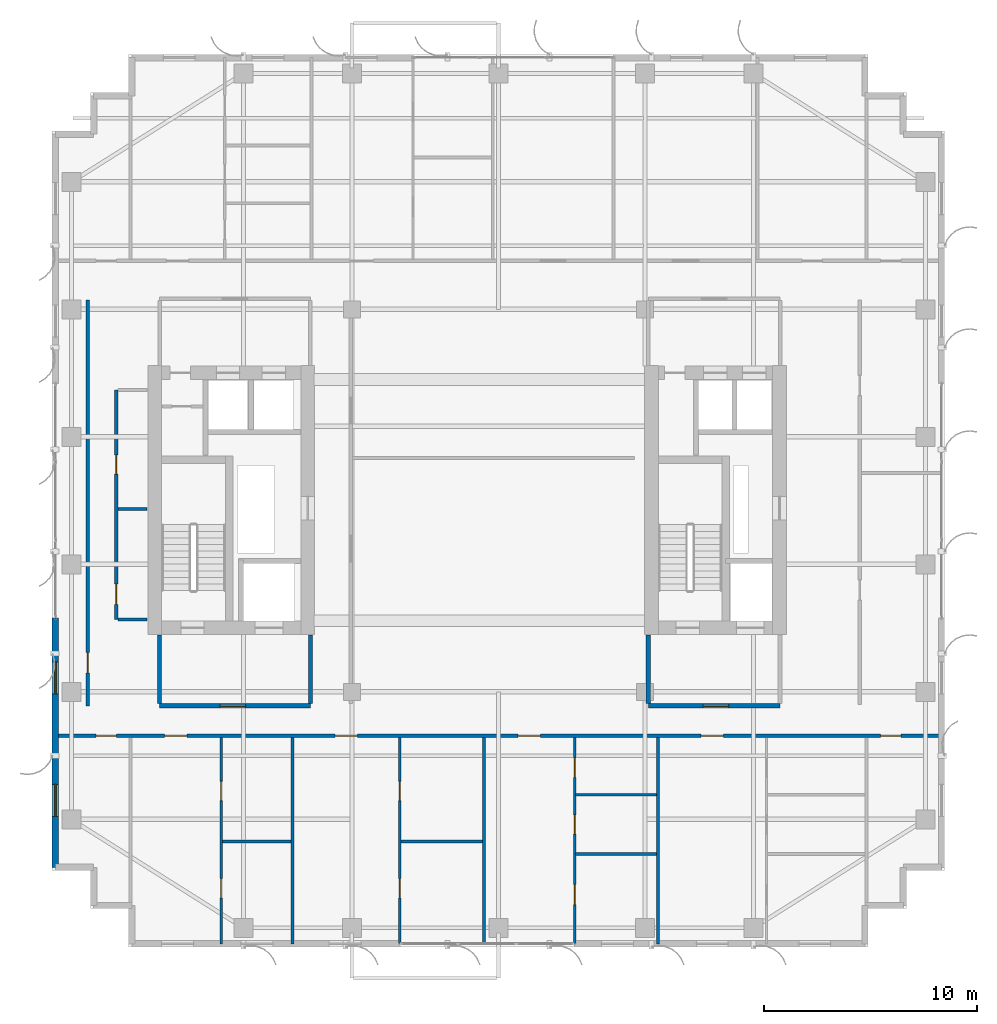
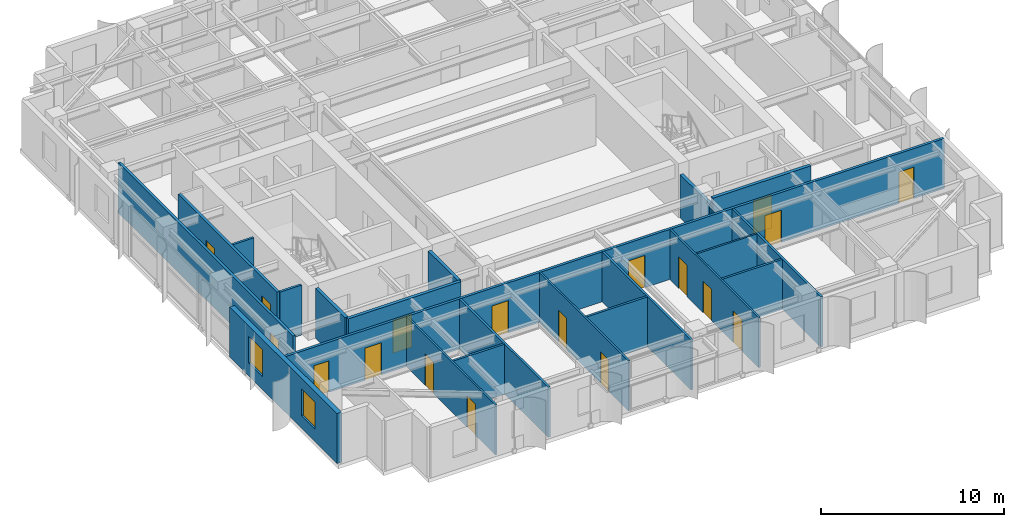
# One storey, part 14 of 21: 21 walls, 18 doors, 2 windows, 20 openings.
"""IFC4 building model written with IfcOpenShell, lengths in metres."""

from ifc_helpers import new_model, si_unit, direction, frame, frame_2d, origin, place, context, subcontext, project, spatial, rectangle, extrude, source, transform, mapped, material, layer, layer_set, type_object, element, fill, save


model = new_model("IFC4")

# Units and contexts
model_context = context("Model", 3, precision=1e-05, world=origin(), true_north=direction((0.0, 1.0)))
body_context = subcontext(model_context, "Body", "Model", "MODEL_VIEW")
ifc_project = project(units=[si_unit("LENGTHUNIT", "METRE"), si_unit("AREAUNIT", "SQUARE_METRE"), si_unit("VOLUMEUNIT", "CUBIC_METRE"), si_unit("PLANEANGLEUNIT", "RADIAN"), si_unit("MASSUNIT", "GRAM", prefix="KILO")], contexts=[model_context])

# Site, building, storey
site_placement = place(None, origin())
site = spatial("IfcSite", under=ifc_project, at=site_placement, CompositionType="ELEMENT")
building_placement = place(site_placement, origin())
building = spatial("IfcBuilding", under=site, at=building_placement, Name="Khoralis Quay Care Tower", CompositionType="ELEMENT")
storey_placement = place(building_placement, frame((0.0, 0.0, 159.300048828125)))
storey = spatial("IfcBuildingStorey", under=building, at=storey_placement, Name="L41", CompositionType="ELEMENT", Elevation=159.300048828125)

# Wall, opening, door
ifc_material_1 = material(Name="Gypsum plasterboard on acoustic metal stud")
ifc_layer_1 = layer(ifc_material_1, 0.199951171875)
ifc_layer_set_1 = layer_set([ifc_layer_1], Name="Gypsum plasterboard on acoustic metal stud")
wall_type_1 = type_object("IfcWallType", Name="WL-COMP-200", PredefinedType="PARTITIONING", material=ifc_layer_set_1)
wall_1_placement = place(storey_placement, frame((8.050048828125, 11.35009765625, 0.0), z_axis=(0.0, 0.0, 1.0), x_axis=(1.0, 0.0, 0.0)))
wall_1 = element("IfcWall", 1, at=wall_1_placement, inside=storey, type_object=wall_type_1, Name="L41 West Firefighting Lobby South Wall", PredefinedType="PARTITIONING", context=body_context, shape_type="SweptSolid", body=[
    extrude(rectangle(XDim=7.099853515625, YDim=0.199951171875, at=frame_2d((3.5498046875, 0.0))), origin(), (0.0, 0.0, 1.0), 3.33984375),
])
opening_1_placement = place(wall_1_placement, frame((2.846435546875, 0.0, 0.0)))
opening_1 = element("IfcOpeningElement", 2, at=opening_1_placement, cuts=wall_1, Name="Opening FD1", PredefinedType="OPENING", context=body_context, shape_type="SweptSolid", body=[
    extrude(rectangle(XDim=1.199951171875, YDim=2.199951171875, at=frame_2d((0.60009765625, 1.10009765625))), frame((0.0, 0.10986328125, 0.0), z_axis=(0.0, -1.0, 0.0), x_axis=(1.0, 0.0, 0.0)), (0.0, 0.0, 1.0), 0.219970703125),
])
ifc_material_2 = material(Name="Fire-rated painted steel", Category="steel")
door_type_1 = type_object("IfcDoorType", Name="DR-FFL-1200X2200", OperationType="NOTDEFINED", PredefinedType="DOOR", material=ifc_material_2)
shared_shape_1 = source(origin(), body_context, "Body", "SweptSolid", [
    extrude(rectangle(XDim=1.199951171875, YDim=2.199951171875, at=frame_2d((0.60009765625, 1.10009765625))), frame((0.0, 0.02490234375, 0.0), z_axis=(0.0, -1.0, 0.0), x_axis=(1.0, 0.0, 0.0)), (0.0, 0.0, 1.0), 0.050048828125),
])
door_1_placement = place(opening_1_placement, origin())
door_1 = element("IfcDoor", 3, at=door_1_placement, inside=storey, type_object=door_type_1, Name="L41 West Firefighting Lobby Fire Door", OperationType="SINGLE_SWING_LEFT", OverallHeight=2.199951171875, OverallWidth=1.199951171875, PredefinedType="DOOR", context=body_context, shape_type="MappedRepresentation", body=[
    mapped(shared_shape_1, transform((0.0, 0.0, 0.0), scale=1.0)),
])
fill(opening_1, door_1)

# Walls
for number, where, z_axis, x_axis, name in (
    (4, (8.050048828125, 11.445068359375, 0.0), (0.0, 0.0, 1.0), (0.0, 1.0, 0.0), "L41 West Firefighting Lobby West Wall"),
    (5, (15.14990234375, 11.445068359375, 0.0), (0.0, 0.0, 1.0), (0.0, 1.0, 0.0), "L41 West Firefighting Lobby East Wall"),
):
    element("IfcWall", number, at=place(storey_placement, frame(where, z_axis=z_axis, x_axis=x_axis)), inside=storey, type_object=wall_type_1, Name=name, PredefinedType="PARTITIONING", context=body_context, shape_type="SweptSolid", body=[
        extrude(rectangle(XDim=3.23486328125, YDim=0.199951171875, at=frame_2d((1.617431640625, 0.0))), origin(), (0.0, 0.0, 1.0), 3.33984375),
    ])

# Wall, opening, door
wall_2_placement = place(storey_placement, frame((31.050048828125, 11.35009765625, 0.0), z_axis=(0.0, 0.0, 1.0), x_axis=(1.0, 0.0, 0.0)))
wall_2 = element("IfcWall", 6, at=wall_2_placement, inside=storey, type_object=wall_type_1, Name="L41 East Firefighting Lobby South Wall", PredefinedType="PARTITIONING", context=body_context, shape_type="SweptSolid", body=[
    extrude(rectangle(XDim=6.199951171875, YDim=0.199951171875, at=frame_2d((3.10009765625, 0.0))), origin(), (0.0, 0.0, 1.0), 3.33984375),
])
opening_2_placement = place(wall_2_placement, frame((2.585693359375, 0.0, 0.0)))
opening_2 = element("IfcOpeningElement", 7, at=opening_2_placement, cuts=wall_2, Name="Opening FD1", PredefinedType="OPENING", context=body_context, shape_type="SweptSolid", body=[
    extrude(rectangle(XDim=1.199951171875, YDim=2.199951171875, at=frame_2d((0.60009765625, 1.10009765625))), frame((0.0, 0.10986328125, 0.0), z_axis=(0.0, -1.0, 0.0), x_axis=(1.0, 0.0, 0.0)), (0.0, 0.0, 1.0), 0.219970703125),
])
door_2_placement = place(opening_2_placement, origin())
door_2 = element("IfcDoor", 8, at=door_2_placement, inside=storey, type_object=door_type_1, Name="L41 East Firefighting Lobby Fire Door", OperationType="SINGLE_SWING_RIGHT", OverallHeight=2.199951171875, OverallWidth=1.199951171875, PredefinedType="DOOR", context=body_context, shape_type="MappedRepresentation", body=[
    mapped(shared_shape_1, transform((0.0, 0.0, 0.0), scale=1.0)),
])
fill(opening_2, door_2)

# Wall
wall_3_placement = place(storey_placement, frame((31.050048828125, 11.445068359375, 0.0), z_axis=(0.0, 0.0, 1.0), x_axis=(0.0, 1.0, 0.0)))
element("IfcWall", 9, at=wall_3_placement, inside=storey, type_object=wall_type_1, Name="L41 East Firefighting Lobby West Wall", PredefinedType="PARTITIONING", context=body_context, shape_type="SweptSolid", body=[
    extrude(rectangle(XDim=3.23486328125, YDim=0.199951171875, at=frame_2d((1.617431640625, 0.0))), origin(), (0.0, 0.0, 1.0), 2.876953125),
])

# Wall, openings, doors
ifc_layer_2 = layer(ifc_material_1, 0.1650390625)
ifc_layer_set_2 = layer_set([ifc_layer_2], Name="Gypsum plasterboard on acoustic metal stud")
wall_type_2 = type_object("IfcWallType", Name="WL-CORR-165", PredefinedType="PARTITIONING", material=ifc_layer_set_2)
wall_4_placement = place(storey_placement, frame((6.02001953125, 15.39990234375, 0.0), z_axis=(0.0, 0.0, 1.0), x_axis=(0.0, 1.0, 0.0)))
wall_4 = element("IfcWall", 10, at=wall_4_placement, inside=storey, type_object=wall_type_2, Name="L41 West Core Service Flank Wall", PredefinedType="PARTITIONING", context=body_context, shape_type="SweptSolid", body=[
    extrude(rectangle(XDim=10.800048828125, YDim=0.1650390625, at=frame_2d((5.39990234375, 0.0))), origin(), (0.0, 0.0, 1.0), 3.33984375),
])
opening_3_placement = place(wall_4_placement, frame((0.72509765625, 0.0, 0.0)))
opening_3 = element("IfcOpeningElement", 11, at=opening_3_placement, cuts=wall_4, Name="Opening ID1", PredefinedType="OPENING", context=body_context, shape_type="SweptSolid", body=[
    extrude(rectangle(XDim=0.949951171875, YDim=2.10009765625, at=frame_2d((0.47509765625, 1.050048828125))), frame((0.0, 0.092529296875, 0.0), z_axis=(0.0, -1.0, 0.0), x_axis=(1.0, 0.0, 0.0)), (0.0, 0.0, 1.0), 0.18505859375),
])
opening_4_placement = place(wall_4_placement, frame((6.85009765625, 0.0, 0.0)))
opening_4 = element("IfcOpeningElement", 12, at=opening_4_placement, cuts=wall_4, Name="Opening WD1", PredefinedType="OPENING", context=body_context, shape_type="SweptSolid", body=[
    extrude(rectangle(XDim=0.89990234375, YDim=2.10009765625, at=frame_2d((0.449951171875, 1.050048828125))), frame((0.0, 0.092529296875, 0.0), z_axis=(0.0, -1.0, 0.0), x_axis=(1.0, 0.0, 0.0)), (0.0, 0.0, 1.0), 0.18505859375),
])
ifc_material_3 = material(Name="Acoustic hardwood timber", Category="wood")
door_type_2 = type_object("IfcDoorType", Name="DR-BATH-900X2100", OperationType="NOTDEFINED", PredefinedType="DOOR", material=ifc_material_3)
shared_shape_2 = source(origin(), body_context, "Body", "SweptSolid", [
    extrude(rectangle(XDim=0.89990234375, YDim=2.10009765625, at=frame_2d((0.449951171875, 1.050048828125))), frame((0.0, 0.02490234375, 0.0), z_axis=(0.0, -1.0, 0.0), x_axis=(1.0, 0.0, 0.0)), (0.0, 0.0, 1.0), 0.050048828125),
])
door_3_placement = place(opening_4_placement, frame((0.89990234375, 0.0, 0.0), z_axis=(0.0, 0.0, 1.0), x_axis=(-1.0, 0.0, 0.0)))
door_3 = element("IfcDoor", 13, at=door_3_placement, inside=storey, type_object=door_type_2, Name="L41 Public Accessible WC Door", OperationType="SINGLE_SWING_LEFT", OverallHeight=2.10009765625, OverallWidth=0.89990234375, PredefinedType="DOOR", context=body_context, shape_type="MappedRepresentation", body=[
    mapped(shared_shape_2, transform((0.0, 0.0, 0.0), scale=1.0)),
])
fill(opening_4, door_3)
door_type_3 = type_object("IfcDoorType", Name="DR-ROOM-950X2100", OperationType="NOTDEFINED", PredefinedType="DOOR", material=ifc_material_3)
shared_shape_3 = source(origin(), body_context, "Body", "SweptSolid", [
    extrude(rectangle(XDim=0.949951171875, YDim=2.10009765625, at=frame_2d((0.47509765625, 1.050048828125))), frame((0.0, 0.02490234375, 0.0), z_axis=(0.0, -1.0, 0.0), x_axis=(1.0, 0.0, 0.0)), (0.0, 0.0, 1.0), 0.050048828125),
])
door_4_placement = place(opening_3_placement, frame((0.949951171875, 0.0, 0.0), z_axis=(0.0, 0.0, 1.0), x_axis=(-1.0, 0.0, 0.0)))
door_4 = element("IfcDoor", 14, at=door_4_placement, inside=storey, type_object=door_type_3, Name="L41 Housekeeping Linen Store Door", OperationType="SINGLE_SWING_RIGHT", OverallHeight=2.10009765625, OverallWidth=0.949951171875, PredefinedType="DOOR", context=body_context, shape_type="MappedRepresentation", body=[
    mapped(shared_shape_3, transform((0.0, 0.0, 0.0), scale=1.0)),
])
fill(opening_3, door_4)

wall_5_placement = place(storey_placement, frame((3.14501953125, 9.93994140625, 0.0), z_axis=(0.0, 0.0, 1.0), x_axis=(1.0, 0.0, 0.0)))
wall_5 = element("IfcWall", 15, at=wall_5_placement, inside=storey, type_object=wall_type_2, Name="L41 South Main Corridor Wall", PredefinedType="PARTITIONING", context=body_context, shape_type="SweptSolid", body=[
    extrude(rectangle(XDim=41.7099609375, YDim=0.1650390625, at=frame_2d((20.85498046875, 0.0))), origin(), (0.0, 0.0, 1.0), 3.33984375),
])
opening_5_placement = place(wall_5_placement, frame((5.146484375, 0.0, 0.0)))
opening_5 = element("IfcOpeningElement", 16, at=opening_5_placement, cuts=wall_5, Name="Opening UD1", PredefinedType="OPENING", context=body_context, shape_type="SweptSolid", body=[
    extrude(rectangle(XDim=1.050048828125, YDim=2.14990234375, at=frame_2d((0.52490234375, 1.074951171875))), frame((0.0, 0.092529296875, 0.0), z_axis=(0.0, -1.0, 0.0), x_axis=(1.0, 0.0, 0.0)), (0.0, 0.0, 1.0), 0.18505859375),
])
opening_6_placement = place(wall_5_placement, frame((13.1630859375, 0.0, 0.0)))
opening_6 = element("IfcOpeningElement", 17, at=opening_6_placement, cuts=wall_5, Name="Opening UD1", PredefinedType="OPENING", context=body_context, shape_type="SweptSolid", body=[
    extrude(rectangle(XDim=1.050048828125, YDim=2.14990234375, at=frame_2d((0.52490234375, 1.074951171875))), frame((0.0, 0.092529296875, 0.0), z_axis=(0.0, -1.0, 0.0), x_axis=(1.0, 0.0, 0.0)), (0.0, 0.0, 1.0), 0.18505859375),
])
opening_7_placement = place(wall_5_placement, frame((21.779541015625, 0.0, 0.0)))
opening_7 = element("IfcOpeningElement", 18, at=opening_7_placement, cuts=wall_5, Name="Opening UD1", PredefinedType="OPENING", context=body_context, shape_type="SweptSolid", body=[
    extrude(rectangle(XDim=1.050048828125, YDim=2.14990234375, at=frame_2d((0.52490234375, 1.074951171875))), frame((0.0, 0.092529296875, 0.0), z_axis=(0.0, -1.0, 0.0), x_axis=(1.0, 0.0, 0.0)), (0.0, 0.0, 1.0), 0.18505859375),
])
opening_8_placement = place(wall_5_placement, frame((30.390380859375, 0.0, 0.0)))
opening_8 = element("IfcOpeningElement", 19, at=opening_8_placement, cuts=wall_5, Name="Opening UD1", PredefinedType="OPENING", context=body_context, shape_type="SweptSolid", body=[
    extrude(rectangle(XDim=1.050048828125, YDim=2.14990234375, at=frame_2d((0.52490234375, 1.074951171875))), frame((0.0, 0.092529296875, 0.0), z_axis=(0.0, -1.0, 0.0), x_axis=(1.0, 0.0, 0.0)), (0.0, 0.0, 1.0), 0.18505859375),
])
opening_9_placement = place(wall_5_placement, frame((1.919921875, 0.0, 0.0)))
opening_9 = element("IfcOpeningElement", 20, at=opening_9_placement, cuts=wall_5, Name="Opening ID1", PredefinedType="OPENING", context=body_context, shape_type="SweptSolid", body=[
    extrude(rectangle(XDim=0.949951171875, YDim=2.10009765625, at=frame_2d((0.47509765625, 1.050048828125))), frame((0.0, 0.092529296875, 0.0), z_axis=(0.0, -1.0, 0.0), x_axis=(1.0, 0.0, 0.0)), (0.0, 0.0, 1.0), 0.18505859375),
])
opening_10_placement = place(wall_5_placement, frame((38.840087890625, 0.0, 0.0)))
opening_10 = element("IfcOpeningElement", 21, at=opening_10_placement, cuts=wall_5, Name="Opening ID1", PredefinedType="OPENING", context=body_context, shape_type="SweptSolid", body=[
    extrude(rectangle(XDim=0.949951171875, YDim=2.10009765625, at=frame_2d((0.47509765625, 1.050048828125))), frame((0.0, 0.092529296875, 0.0), z_axis=(0.0, -1.0, 0.0), x_axis=(1.0, 0.0, 0.0)), (0.0, 0.0, 1.0), 0.18505859375),
])
door_5_placement = place(opening_9_placement, frame((0.949951171875, 0.0, 0.0), z_axis=(0.0, 0.0, 1.0), x_axis=(-1.0, 0.0, 0.0)))
door_5 = element("IfcDoor", 22, at=door_5_placement, inside=storey, type_object=door_type_3, Name="L41 SW Corner Door", OperationType="SINGLE_SWING_LEFT", OverallHeight=2.10009765625, OverallWidth=0.949951171875, PredefinedType="DOOR", context=body_context, shape_type="MappedRepresentation", body=[
    mapped(shared_shape_3, transform((0.0, 0.0, 0.0), scale=1.0)),
])
fill(opening_9, door_5)
door_6_placement = place(opening_10_placement, frame((0.949951171875, 0.0, 0.0), z_axis=(0.0, 0.0, 1.0), x_axis=(-1.0, 0.0, 0.0)))
door_6 = element("IfcDoor", 23, at=door_6_placement, inside=storey, type_object=door_type_3, Name="L41 SE Corner Door", OperationType="SINGLE_SWING_RIGHT", OverallHeight=2.10009765625, OverallWidth=0.949951171875, PredefinedType="DOOR", context=body_context, shape_type="MappedRepresentation", body=[
    mapped(shared_shape_3, transform((0.0, 0.0, 0.0), scale=1.0)),
])
fill(opening_10, door_6)
door_type_4 = type_object("IfcDoorType", Name="DR-SUITE-1050X2150", OperationType="NOTDEFINED", PredefinedType="DOOR", material=ifc_material_3)
shared_shape_4 = source(origin(), body_context, "Body", "SweptSolid", [
    extrude(rectangle(XDim=1.050048828125, YDim=2.14990234375, at=frame_2d((0.52490234375, 1.074951171875))), frame((0.0, 0.02490234375, 0.0), z_axis=(0.0, -1.0, 0.0), x_axis=(1.0, 0.0, 0.0)), (0.0, 0.0, 1.0), 0.050048828125),
])
door_7_placement = place(opening_5_placement, frame((1.050048828125, 0.0, 0.0), z_axis=(0.0, 0.0, 1.0), x_axis=(-1.0, 0.0, 0.0)))
door_7 = element("IfcDoor", 24, at=door_7_placement, inside=storey, type_object=door_type_4, Name="L41 Studio SB0 Entrance", OperationType="SINGLE_SWING_LEFT", OverallHeight=2.14990234375, OverallWidth=1.050048828125, PredefinedType="DOOR", context=body_context, shape_type="MappedRepresentation", body=[
    mapped(shared_shape_4, transform((0.0, 0.0, 0.0), scale=1.0)),
])
fill(opening_5, door_7)
door_8_placement = place(opening_6_placement, frame((1.050048828125, 0.0, 0.0), z_axis=(0.0, 0.0, 1.0), x_axis=(-1.0, 0.0, 0.0)))
door_8 = element("IfcDoor", 25, at=door_8_placement, inside=storey, type_object=door_type_4, Name="L41 Studio SB1 Entrance", OperationType="SINGLE_SWING_RIGHT", OverallHeight=2.14990234375, OverallWidth=1.050048828125, PredefinedType="DOOR", context=body_context, shape_type="MappedRepresentation", body=[
    mapped(shared_shape_4, transform((0.0, 0.0, 0.0), scale=1.0)),
])
fill(opening_6, door_8)
door_9_placement = place(opening_7_placement, frame((1.050048828125, 0.0, 0.0), z_axis=(0.0, 0.0, 1.0), x_axis=(-1.0, 0.0, 0.0)))
door_9 = element("IfcDoor", 26, at=door_9_placement, inside=storey, type_object=door_type_4, Name="L41 Apartment SB2 Entrance Door", OperationType="SINGLE_SWING_LEFT", OverallHeight=2.14990234375, OverallWidth=1.050048828125, PredefinedType="DOOR", context=body_context, shape_type="MappedRepresentation", body=[
    mapped(shared_shape_4, transform((0.0, 0.0, 0.0), scale=1.0)),
])
fill(opening_7, door_9)
door_10_placement = place(opening_8_placement, frame((1.050048828125, 0.0, 0.0), z_axis=(0.0, 0.0, 1.0), x_axis=(-1.0, 0.0, 0.0)))
door_10 = element("IfcDoor", 27, at=door_10_placement, inside=storey, type_object=door_type_4, Name="L41 Apartment SB3 Entrance Door", OperationType="SINGLE_SWING_RIGHT", OverallHeight=2.14990234375, OverallWidth=1.050048828125, PredefinedType="DOOR", context=body_context, shape_type="MappedRepresentation", body=[
    mapped(shared_shape_4, transform((0.0, 0.0, 0.0), scale=1.0)),
])
fill(opening_8, door_10)

# Wall, opening, door
wall_6_placement = place(storey_placement, frame((4.679931640625, 11.35009765625, 0.0), z_axis=(0.0, 0.0, 1.0), x_axis=(0.0, 1.0, 0.0)))
wall_6 = element("IfcWall", 28, at=wall_6_placement, inside=storey, type_object=wall_type_2, Name="L41 West Sunroom Wall", PredefinedType="PARTITIONING", context=body_context, shape_type="SweptSolid", body=[
    extrude(rectangle(XDim=19.099853515625, YDim=0.1650390625, at=frame_2d((9.5498046875, 0.0))), origin(), (0.0, 0.0, 1.0), 3.33984375),
])
opening_11_placement = place(wall_6_placement, frame((1.550048828125, 0.0, 0.0)))
opening_11 = element("IfcOpeningElement", 29, at=opening_11_placement, cuts=wall_6, Name="Opening ID1", PredefinedType="OPENING", context=body_context, shape_type="SweptSolid", body=[
    extrude(rectangle(XDim=0.949951171875, YDim=2.10009765625, at=frame_2d((0.47509765625, 1.050048828125))), frame((0.0, 0.092529296875, 0.0), z_axis=(0.0, -1.0, 0.0), x_axis=(1.0, 0.0, 0.0)), (0.0, 0.0, 1.0), 0.18505859375),
])
door_11_placement = place(opening_11_placement, frame((0.949951171875, 0.0, 0.0), z_axis=(0.0, 0.0, 1.0), x_axis=(-1.0, 0.0, 0.0)))
door_11 = element("IfcDoor", 30, at=door_11_placement, inside=storey, type_object=door_type_3, Name="L41 West Sunroom Door", OperationType="SINGLE_SWING_LEFT", OverallHeight=2.10009765625, OverallWidth=0.949951171875, PredefinedType="DOOR", context=body_context, shape_type="MappedRepresentation", body=[
    mapped(shared_shape_3, transform((0.0, 0.0, 0.0), scale=1.0)),
])
fill(opening_11, door_11)

# Wall, openings, windows
ifc_material_4 = material(Name="Precast concrete C45/55", Category="concrete")
ifc_layer_3 = layer(ifc_material_4, 0.300048828125)
ifc_layer_set_3 = layer_set([ifc_layer_3], Name="Precast concrete C45/55")
wall_type_3 = type_object("IfcWallType", Name="WL-EXT-REF-300", PredefinedType="SOLIDWALL", material=ifc_layer_set_3)
wall_7_placement = place(storey_placement, frame((3.14990234375, 15.47998046875, 0.0), z_axis=(0.0, 0.0, 1.0), x_axis=(0.0, -1.0, 0.0)))
wall_7 = element("IfcWall", 31, at=wall_7_placement, inside=storey, type_object=wall_type_3, Name="L41 External Facade Wall WL-EXT-L41-P1-E15B", PredefinedType="SOLIDWALL", context=body_context, shape_type="SweptSolid", body=[
    extrude(rectangle(XDim=11.72998046875, YDim=0.300048828125, at=frame_2d((5.864990234375, 0.0))), origin(), (0.0, 0.0, 1.0), 3.33984375),
])
opening_12_placement = place(wall_7_placement, frame((2.070068359375, 0.0, 0.85009765625)))
opening_12 = element("IfcOpeningElement", 32, at=opening_12_placement, cuts=wall_7, Name="Opening W3", PredefinedType="OPENING", context=body_context, shape_type="SweptSolid", body=[
    extrude(rectangle(XDim=1.5, YDim=1.800048828125, at=frame_2d((0.75, 0.89990234375))), frame((0.0, 0.16015625, 0.0), z_axis=(0.0, -1.0, 0.0), x_axis=(1.0, 0.0, 0.0)), (0.0, 0.0, 1.0), 0.320068359375),
])
opening_13_placement = place(wall_7_placement, frame((7.8349609375, 0.0, 0.85009765625)))
opening_13 = element("IfcOpeningElement", 33, at=opening_13_placement, cuts=wall_7, Name="Opening W3", PredefinedType="OPENING", context=body_context, shape_type="SweptSolid", body=[
    extrude(rectangle(XDim=1.5, YDim=1.800048828125, at=frame_2d((0.75, 0.89990234375))), frame((0.0, 0.16015625, 0.0), z_axis=(0.0, -1.0, 0.0), x_axis=(1.0, 0.0, 0.0)), (0.0, 0.0, 1.0), 0.320068359375),
])
ifc_material_5 = material(Name="Low-E solar-control double glazing", Category="glass")
window_type = type_object("IfcWindowType", Name="WN-CLIN-1500X1800", PartitioningType="SINGLE_PANEL", PredefinedType="WINDOW", material=ifc_material_5)
shared_shape_5 = source(origin(), body_context, "Body", "SweptSolid", [
    extrude(rectangle(XDim=1.5, YDim=1.800048828125, at=frame_2d((0.75, 0.89990234375))), frame((0.0, 0.030029296875, 0.0), z_axis=(0.0, -1.0, 0.0), x_axis=(1.0, 0.0, 0.0)), (0.0, 0.0, 1.0), 0.06005859375),
])
window_1_placement = place(opening_12_placement, origin())
window_1 = element("IfcWindow", 34, at=window_1_placement, inside=storey, type_object=window_type, Name="WN-L41-P1-E15B Facade Window 01", OverallHeight=1.800048828125, OverallWidth=1.5, PartitioningType="SINGLE_PANEL", PredefinedType="WINDOW", context=body_context, shape_type="MappedRepresentation", body=[
    mapped(shared_shape_5, transform((0.0, 0.0, 0.0), scale=1.0)),
])
fill(opening_12, window_1)
window_2_placement = place(opening_13_placement, origin())
window_2 = element("IfcWindow", 35, at=window_2_placement, inside=storey, type_object=window_type, Name="WN-L41-P1-E15B Facade Window 02", OverallHeight=1.800048828125, OverallWidth=1.5, PartitioningType="SINGLE_PANEL", PredefinedType="WINDOW", context=body_context, shape_type="MappedRepresentation", body=[
    mapped(shared_shape_5, transform((0.0, 0.0, 0.0), scale=1.0)),
])
fill(opening_13, window_2)

# Wall, openings, doors
ifc_layer_4 = layer(ifc_material_1, 0.114990234375)
ifc_layer_set_4 = layer_set([ifc_layer_4], Name="Gypsum plasterboard on acoustic metal stud")
wall_type_4 = type_object("IfcWallType", Name="WL-PART-115", PredefinedType="PARTITIONING", material=ifc_layer_set_4)
wall_8_placement = place(storey_placement, frame((10.952880859375, 0.14501953125, 0.0), z_axis=(0.0, 0.0, 1.0), x_axis=(0.0, 1.0, 0.0)))
wall_8 = element("IfcWall", 36, at=wall_8_placement, inside=storey, type_object=wall_type_4, Name="L41 Studio 0 Internal Wall", PredefinedType="PARTITIONING", context=body_context, shape_type="SweptSolid", body=[
    extrude(rectangle(XDim=9.717529296875, YDim=0.114990234375, at=frame_2d((4.85888671875, 0.0))), origin(), (0.0, 0.0, 1.0), 3.33984375),
])
opening_14_placement = place(wall_8_placement, frame((2.1650390625, 0.0, 0.0)))
opening_14 = element("IfcOpeningElement", 37, at=opening_14_placement, cuts=wall_8, Name="Opening WD1", PredefinedType="OPENING", context=body_context, shape_type="SweptSolid", body=[
    extrude(rectangle(XDim=0.89990234375, YDim=2.10009765625, at=frame_2d((0.449951171875, 1.050048828125))), frame((0.0, 0.0673828125, 0.0), z_axis=(0.0, -1.0, 0.0), x_axis=(1.0, 0.0, 0.0)), (0.0, 0.0, 1.0), 0.135009765625),
])
opening_15_placement = place(wall_8_placement, frame((6.7451171875, 0.0, 0.0)))
opening_15 = element("IfcOpeningElement", 38, at=opening_15_placement, cuts=wall_8, Name="Opening WD1", PredefinedType="OPENING", context=body_context, shape_type="SweptSolid", body=[
    extrude(rectangle(XDim=0.89990234375, YDim=2.10009765625, at=frame_2d((0.449951171875, 1.050048828125))), frame((0.0, 0.0673828125, 0.0), z_axis=(0.0, -1.0, 0.0), x_axis=(1.0, 0.0, 0.0)), (0.0, 0.0, 1.0), 0.135009765625),
])
door_12_placement = place(opening_14_placement, frame((0.89990234375, 0.0, 0.0), z_axis=(0.0, 0.0, 1.0), x_axis=(-1.0, 0.0, 0.0)))
door_12 = element("IfcDoor", 39, at=door_12_placement, inside=storey, type_object=door_type_2, Name="L41 Studio SKT Door", OperationType="SINGLE_SWING_RIGHT", OverallHeight=2.10009765625, OverallWidth=0.89990234375, PredefinedType="DOOR", context=body_context, shape_type="MappedRepresentation", body=[
    mapped(shared_shape_2, transform((0.0, 0.0, 0.0), scale=1.0)),
])
fill(opening_14, door_12)
door_13_placement = place(opening_15_placement, frame((0.89990234375, 0.0, 0.0), z_axis=(0.0, 0.0, 1.0), x_axis=(-1.0, 0.0, 0.0)))
door_13 = element("IfcDoor", 40, at=door_13_placement, inside=storey, type_object=door_type_2, Name="L41 Studio SBH Door", OperationType="SINGLE_SWING_LEFT", OverallHeight=2.10009765625, OverallWidth=0.89990234375, PredefinedType="DOOR", context=body_context, shape_type="MappedRepresentation", body=[
    mapped(shared_shape_2, transform((0.0, 0.0, 0.0), scale=1.0)),
])
fill(opening_15, door_13)

wall_9_placement = place(storey_placement, frame((19.35595703125, 0.14501953125, 0.0), z_axis=(0.0, 0.0, 1.0), x_axis=(0.0, 1.0, 0.0)))
wall_9 = element("IfcWall", 41, at=wall_9_placement, inside=storey, type_object=wall_type_4, Name="L41 Studio 1 Internal Wall", PredefinedType="PARTITIONING", context=body_context, shape_type="SweptSolid", body=[
    extrude(rectangle(XDim=9.717529296875, YDim=0.114990234375, at=frame_2d((4.85888671875, 0.0))), origin(), (0.0, 0.0, 1.0), 3.33984375),
])
opening_16_placement = place(wall_9_placement, frame((2.1650390625, 0.0, 0.0)))
opening_16 = element("IfcOpeningElement", 42, at=opening_16_placement, cuts=wall_9, Name="Opening WD1", PredefinedType="OPENING", context=body_context, shape_type="SweptSolid", body=[
    extrude(rectangle(XDim=0.89990234375, YDim=2.10009765625, at=frame_2d((0.449951171875, 1.050048828125))), frame((0.0, 0.0673828125, 0.0), z_axis=(0.0, -1.0, 0.0), x_axis=(1.0, 0.0, 0.0)), (0.0, 0.0, 1.0), 0.135009765625),
])
opening_17_placement = place(wall_9_placement, frame((6.7451171875, 0.0, 0.0)))
opening_17 = element("IfcOpeningElement", 43, at=opening_17_placement, cuts=wall_9, Name="Opening WD1", PredefinedType="OPENING", context=body_context, shape_type="SweptSolid", body=[
    extrude(rectangle(XDim=0.89990234375, YDim=2.10009765625, at=frame_2d((0.449951171875, 1.050048828125))), frame((0.0, 0.0673828125, 0.0), z_axis=(0.0, -1.0, 0.0), x_axis=(1.0, 0.0, 0.0)), (0.0, 0.0, 1.0), 0.135009765625),
])
door_14_placement = place(opening_16_placement, frame((0.89990234375, 0.0, 0.0), z_axis=(0.0, 0.0, 1.0), x_axis=(-1.0, 0.0, 0.0)))
door_14 = element("IfcDoor", 44, at=door_14_placement, inside=storey, type_object=door_type_2, Name="L41 Studio SKT Door", OperationType="SINGLE_SWING_LEFT", OverallHeight=2.10009765625, OverallWidth=0.89990234375, PredefinedType="DOOR", context=body_context, shape_type="MappedRepresentation", body=[
    mapped(shared_shape_2, transform((0.0, 0.0, 0.0), scale=1.0)),
])
fill(opening_16, door_14)
door_15_placement = place(opening_17_placement, frame((0.89990234375, 0.0, 0.0), z_axis=(0.0, 0.0, 1.0), x_axis=(-1.0, 0.0, 0.0)))
door_15 = element("IfcDoor", 45, at=door_15_placement, inside=storey, type_object=door_type_2, Name="L41 Studio SBH Door", OperationType="SINGLE_SWING_RIGHT", OverallHeight=2.10009765625, OverallWidth=0.89990234375, PredefinedType="DOOR", context=body_context, shape_type="MappedRepresentation", body=[
    mapped(shared_shape_2, transform((0.0, 0.0, 0.0), scale=1.0)),
])
fill(opening_17, door_15)

wall_10_placement = place(storey_placement, frame((27.5791015625, 0.14501953125, 0.0), z_axis=(0.0, 0.0, 1.0), x_axis=(0.0, 1.0, 0.0)))
wall_10 = element("IfcWall", 46, at=wall_10_placement, inside=storey, type_object=wall_type_4, Name="L41 Unit 2 Internal Wall", PredefinedType="PARTITIONING", context=body_context, shape_type="SweptSolid", body=[
    extrude(rectangle(XDim=9.717529296875, YDim=0.114990234375, at=frame_2d((4.85888671875, 0.0))), origin(), (0.0, 0.0, 1.0), 3.33984375),
])
opening_18_placement = place(wall_10_placement, frame((1.842041015625, 0.0, 0.0)))
opening_18 = element("IfcOpeningElement", 47, at=opening_18_placement, cuts=wall_10, Name="Opening ID1", PredefinedType="OPENING", context=body_context, shape_type="SweptSolid", body=[
    extrude(rectangle(XDim=0.949951171875, YDim=2.10009765625, at=frame_2d((0.47509765625, 1.050048828125))), frame((0.0, 0.0673828125, 0.0), z_axis=(0.0, -1.0, 0.0), x_axis=(1.0, 0.0, 0.0)), (0.0, 0.0, 1.0), 0.135009765625),
])
opening_19_placement = place(wall_10_placement, frame((5.17041015625, 0.0, 0.0)))
opening_19 = element("IfcOpeningElement", 48, at=opening_19_placement, cuts=wall_10, Name="Opening WD1", PredefinedType="OPENING", context=body_context, shape_type="SweptSolid", body=[
    extrude(rectangle(XDim=0.89990234375, YDim=2.10009765625, at=frame_2d((0.449951171875, 1.050048828125))), frame((0.0, 0.0673828125, 0.0), z_axis=(0.0, -1.0, 0.0), x_axis=(1.0, 0.0, 0.0)), (0.0, 0.0, 1.0), 0.135009765625),
])
opening_20_placement = place(wall_10_placement, frame((7.83837890625, 0.0, 0.0)))
opening_20 = element("IfcOpeningElement", 49, at=opening_20_placement, cuts=wall_10, Name="Opening WD1", PredefinedType="OPENING", context=body_context, shape_type="SweptSolid", body=[
    extrude(rectangle(XDim=0.89990234375, YDim=2.10009765625, at=frame_2d((0.449951171875, 1.050048828125))), frame((0.0, 0.0673828125, 0.0), z_axis=(0.0, -1.0, 0.0), x_axis=(1.0, 0.0, 0.0)), (0.0, 0.0, 1.0), 0.135009765625),
])
door_16_placement = place(opening_19_placement, frame((0.89990234375, 0.0, 0.0), z_axis=(0.0, 0.0, 1.0), x_axis=(-1.0, 0.0, 0.0)))
door_16 = element("IfcDoor", 50, at=door_16_placement, inside=storey, type_object=door_type_2, Name="L41 Apartment SB2 KIT Door", OperationType="SINGLE_SWING_LEFT", OverallHeight=2.10009765625, OverallWidth=0.89990234375, PredefinedType="DOOR", context=body_context, shape_type="MappedRepresentation", body=[
    mapped(shared_shape_2, transform((0.0, 0.0, 0.0), scale=1.0)),
])
fill(opening_19, door_16)
door_17_placement = place(opening_20_placement, frame((0.89990234375, 0.0, 0.0), z_axis=(0.0, 0.0, 1.0), x_axis=(-1.0, 0.0, 0.0)))
door_17 = element("IfcDoor", 51, at=door_17_placement, inside=storey, type_object=door_type_2, Name="L41 Apartment SB2 BTH Door", OperationType="SINGLE_SWING_RIGHT", OverallHeight=2.10009765625, OverallWidth=0.89990234375, PredefinedType="DOOR", context=body_context, shape_type="MappedRepresentation", body=[
    mapped(shared_shape_2, transform((0.0, 0.0, 0.0), scale=1.0)),
])
fill(opening_20, door_17)
door_18_placement = place(opening_18_placement, frame((0.949951171875, 0.0, 0.0), z_axis=(0.0, 0.0, 1.0), x_axis=(-1.0, 0.0, 0.0)))
door_18 = element("IfcDoor", 52, at=door_18_placement, inside=storey, type_object=door_type_3, Name="L41 Apartment SB2 BED Door", OperationType="SINGLE_SWING_RIGHT", OverallHeight=2.10009765625, OverallWidth=0.949951171875, PredefinedType="DOOR", context=body_context, shape_type="MappedRepresentation", body=[
    mapped(shared_shape_3, transform((0.0, 0.0, 0.0), scale=1.0)),
])
fill(opening_18, door_18)

# Walls
wall_11_placement = place(storey_placement, frame((27.631591796875, 7.156982421875, 0.0), z_axis=(0.0, 0.0, 1.0), x_axis=(1.0, 0.0, 0.0)))
element("IfcWall", 53, at=wall_11_placement, inside=storey, type_object=wall_type_4, Name="L41 Unit 2 Kitchen Wall", PredefinedType="PARTITIONING", context=body_context, shape_type="SweptSolid", body=[
    extrude(rectangle(XDim=3.8134765625, YDim=0.114990234375, at=frame_2d((1.90673828125, 0.0))), origin(), (0.0, 0.0, 1.0), 3.33984375),
])
ifc_material_6 = material(Name="Moisture-resistant gypsum and ceramic tile")
ifc_layer_5 = layer(ifc_material_6, 0.280029296875)
ifc_layer_set_5 = layer_set([ifc_layer_5], Name="Moisture-resistant gypsum and ceramic tile")
wall_type_5 = type_object("IfcWallType", Name="WL-PLUMB-280", PredefinedType="PLUMBINGWALL", material=ifc_layer_set_5)
wall_12_placement = place(storey_placement, frame((6.097412109375, 20.60009765625, 0.0), z_axis=(0.0, 0.0, 1.0), x_axis=(1.0, 0.0, 0.0)))
element("IfcWall", 54, at=wall_12_placement, inside=storey, type_object=wall_type_5, Name="L41 West Flank Divider 1", PredefinedType="PLUMBINGWALL", context=body_context, shape_type="SweptSolid", body=[
    extrude(rectangle(XDim=1.362548828125, YDim=0.139892578125, at=frame_2d((0.68115234375, 0.0))), origin(), (0.0, 0.0, 1.0), 3.33984375),
])
wall_13_placement = place(storey_placement, frame((11.005615234375, 4.969970703125, 0.0), z_axis=(0.0, 0.0, 1.0), x_axis=(1.0, 0.0, 0.0)))
element("IfcWall", 55, at=wall_13_placement, inside=storey, type_object=wall_type_5, Name="L41 Studio 0 Wet Split", PredefinedType="PLUMBINGWALL", context=body_context, shape_type="SweptSolid", body=[
    extrude(rectangle(XDim=3.239501953125, YDim=0.139892578125, at=frame_2d((1.61962890625, 0.0))), origin(), (0.0, 0.0, 1.0), 3.33984375),
])
wall_14_placement = place(storey_placement, frame((19.408447265625, 4.969970703125, 0.0), z_axis=(0.0, 0.0, 1.0), x_axis=(1.0, 0.0, 0.0)))
element("IfcWall", 56, at=wall_14_placement, inside=storey, type_object=wall_type_5, Name="L41 Studio 1 Wet Split", PredefinedType="PLUMBINGWALL", context=body_context, shape_type="SweptSolid", body=[
    extrude(rectangle(XDim=3.846435546875, YDim=0.139892578125, at=frame_2d((1.92333984375, 0.0))), origin(), (0.0, 0.0, 1.0), 3.33984375),
])
wall_15_placement = place(storey_placement, frame((27.631591796875, 4.3740234375, 0.0), z_axis=(0.0, 0.0, 1.0), x_axis=(1.0, 0.0, 0.0)))
element("IfcWall", 57, at=wall_15_placement, inside=storey, type_object=wall_type_5, Name="L41 Unit 2 Wet Wall", PredefinedType="PLUMBINGWALL", context=body_context, shape_type="SweptSolid", body=[
    extrude(rectangle(XDim=3.8134765625, YDim=0.139892578125, at=frame_2d((1.90673828125, 0.0))), origin(), (0.0, 0.0, 1.0), 3.33984375),
])
ifc_layer_6 = layer(ifc_material_1, 0.139892578125)
ifc_layer_set_6 = layer_set([ifc_layer_6], Name="Gypsum plasterboard on acoustic metal stud")
wall_type_6 = type_object("IfcWallType", Name="WL-UNIT-140", PredefinedType="PARTITIONING", material=ifc_layer_set_6)
wall_16_placement = place(storey_placement, frame((6.097412109375, 15.39990234375, 0.0), z_axis=(0.0, 0.0, 1.0), x_axis=(1.0, 0.0, 0.0)))
element("IfcWall", 58, at=wall_16_placement, inside=storey, type_object=wall_type_6, Name="L41 West Flank South Cap", PredefinedType="PARTITIONING", context=body_context, shape_type="SweptSolid", body=[
    extrude(rectangle(XDim=1.362548828125, YDim=0.139892578125, at=frame_2d((0.68115234375, 0.0))), origin(), (0.0, 0.0, 1.0), 3.33984375),
])
for number, where, z_axis, x_axis, name in (
    (59, (14.31005859375, 0.14501953125, 0.0), (0.0, 0.0, 1.0), (0.0, 1.0, 0.0), "L41 SB Demising Wall 1"),
    (60, (23.320068359375, 0.14501953125, 0.0), (0.0, 0.0, 1.0), (0.0, 1.0, 0.0), "L41 SB Demising Wall 2"),
    (61, (31.510009765625, 0.14501953125, 0.0), (0.0, 0.0, 1.0), (0.0, 1.0, 0.0), "L41 SB Demising Wall 3"),
):
    element("IfcWall", number, at=place(storey_placement, frame(where, z_axis=z_axis, x_axis=x_axis)), inside=storey, type_object=wall_type_6, Name=name, PredefinedType="PARTITIONING", context=body_context, shape_type="SweptSolid", body=[
        extrude(rectangle(XDim=9.717529296875, YDim=0.139892578125, at=frame_2d((4.85888671875, 0.0))), origin(), (0.0, 0.0, 1.0), 3.33984375),
    ])

save(model, "model.ifc")
